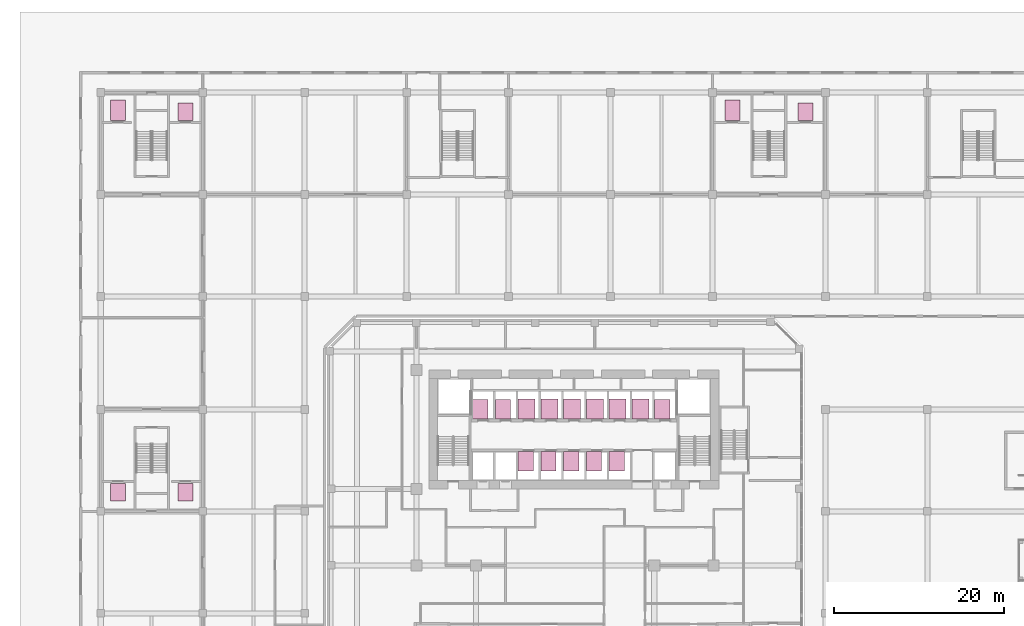
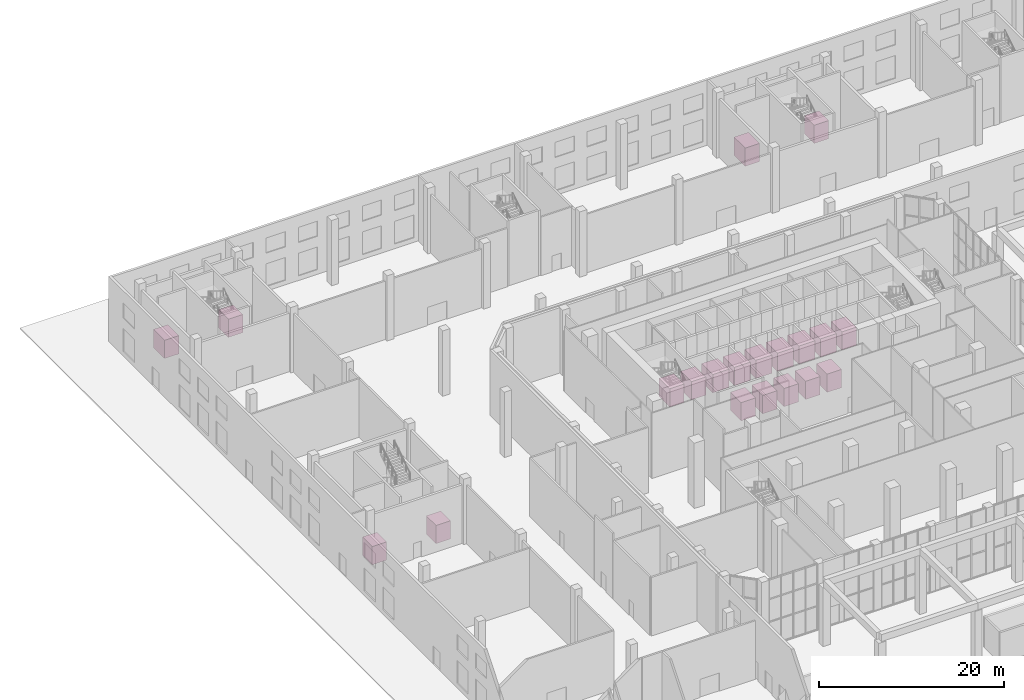
# One storey, part 43 of 43: 20 transport elements.
"""IFC4 building model written with IfcOpenShell, lengths in metres."""

from ifc_helpers import new_model, si_unit, direction, frame, origin, origin_2d, place, context, subcontext, project, spatial, rectangle, extrude, source, transform, mapped, material, type_object, element, save


model = new_model("IFC4")

# Units and contexts
model_context = context("Model", 3, precision=1e-05, world=origin(), true_north=direction((0.0, 1.0)))
body_context = subcontext(model_context, "Body", "Model", "MODEL_VIEW")
ifc_project = project(units=[si_unit("LENGTHUNIT", "METRE"), si_unit("AREAUNIT", "SQUARE_METRE"), si_unit("VOLUMEUNIT", "CUBIC_METRE"), si_unit("PLANEANGLEUNIT", "RADIAN"), si_unit("MASSUNIT", "GRAM", prefix="KILO")], contexts=[model_context])

# Site, building, storey
site_placement = place(None, origin())
site = spatial("IfcSite", under=ifc_project, at=site_placement, CompositionType="ELEMENT")
building_placement = place(site_placement, origin())
building = spatial("IfcBuilding", under=site, at=building_placement, Name="Kilnfold Tower and Market Hall", CompositionType="ELEMENT")
storey_placement = place(building_placement, origin())
storey = spatial("IfcBuildingStorey", under=building, at=storey_placement, Name="L00", CompositionType="ELEMENT", Elevation=0.0)

# Transport elements
ifc_material_1 = material(Name="Stainless steel 304 cab", Category="steel")
transport_element_type_1 = type_object("IfcTransportElementType", Name="LIFT LR 1600 KG", PredefinedType="ELEVATOR", material=ifc_material_1)
shared_shape_1 = source(origin(), body_context, "Body", "SweptSolid", [
    extrude(rectangle(XDim=1.800048828125, YDim=2.300048828125, at=origin_2d()), origin(), (0.0, 0.0, 1.0), 2.39990234375),
])
for number, where, z_axis, x_axis, name in (
    (1, (-4.625, 11.25, 0.0), (0.0, 0.0, 1.0), (1.0, 0.0, 0.0), "Lift LR1"),
    (2, (-1.945068359375, 11.25, 0.0), (0.0, 0.0, 1.0), (1.0, 0.0, 0.0), "Lift LR2"),
    (3, (0.735107421875, 11.25, 0.0), (0.0, 0.0, 1.0), (1.0, 0.0, 0.0), "Lift LR3"),
    (4, (3.4150390625, 11.25, 0.0), (0.0, 0.0, 1.0), (1.0, 0.0, 0.0), "Lift LR4"),
    (5, (6.094970703125, 11.25, 0.0), (0.0, 0.0, 1.0), (1.0, 0.0, 0.0), "Lift LR5"),
    (6, (11.455078125, 17.35009765625, 0.0), (0.0, 0.0, 1.0), (1.0, 0.0, 0.0), "Lift LR6"),
):
    element("IfcTransportElement", number, at=place(storey_placement, frame(where, z_axis=z_axis, x_axis=x_axis)), inside=storey, type_object=transport_element_type_1, Name=name, PredefinedType="ELEVATOR", context=body_context, shape_type="MappedRepresentation", body=[
        mapped(shared_shape_1, transform((0.0, 0.0, 0.0))),
    ])
ifc_material_2 = material(Name="Stainless steel 304 cab", Category="steel")
transport_element_type_2 = type_object("IfcTransportElementType", Name="LIFT LL 1600 KG", PredefinedType="ELEVATOR", material=ifc_material_2)
for number, where, z_axis, x_axis, name in (
    (7, (-9.985107421875, 17.35009765625, 0.0), (0.0, 0.0, 1.0), (1.0, 0.0, 0.0), "Lift LR7"),
    (8, (-7.304931640625, 17.35009765625, 0.0), (0.0, 0.0, 1.0), (1.0, 0.0, 0.0), "Lift LR8"),
):
    element("IfcTransportElement", number, at=place(storey_placement, frame(where, z_axis=z_axis, x_axis=x_axis)), inside=storey, type_object=transport_element_type_2, Name=name, PredefinedType="ELEVATOR", context=body_context, shape_type="MappedRepresentation", body=[
        mapped(shared_shape_1, transform((0.0, 0.0, 0.0))),
    ])
ifc_material_3 = material(Name="Stainless steel 304 cab", Category="steel")
transport_element_type_3 = type_object("IfcTransportElementType", Name="LIFT SH1 2000 KG", PredefinedType="ELEVATOR", material=ifc_material_3)
shared_shape_2 = source(origin(), body_context, "Body", "SweptSolid", [
    extrude(rectangle(XDim=2.0, YDim=2.39990234375, at=origin_2d()), origin(), (0.0, 0.0, 1.0), 2.39990234375),
])
for number, where, z_axis, x_axis, name in (
    (9, (-4.52490234375, 17.39990234375, 0.0), (0.0, 0.0, 1.0), (1.0, 0.0, 0.0), "Shuttle lift SH1"),
    (10, (-1.844970703125, 17.39990234375, 0.0), (0.0, 0.0, 1.0), (1.0, 0.0, 0.0), "Shuttle lift SH2"),
    (11, (0.8349609375, 17.39990234375, 0.0), (0.0, 0.0, 1.0), (1.0, 0.0, 0.0), "Shuttle lift SH3"),
):
    element("IfcTransportElement", number, at=place(storey_placement, frame(where, z_axis=z_axis, x_axis=x_axis)), inside=storey, type_object=transport_element_type_3, Name=name, PredefinedType="ELEVATOR", context=body_context, shape_type="MappedRepresentation", body=[
        mapped(shared_shape_2, transform((0.0, 0.0, 0.0))),
    ])
ifc_material_4 = material(Name="Stainless steel 304 cab", Category="steel")
transport_element_type_4 = type_object("IfcTransportElementType", Name="LIFT SH2 2000 KG", PredefinedType="ELEVATOR", material=ifc_material_4)
for number, where, z_axis, x_axis, name in (
    (12, (3.514892578125, 17.39990234375, 0.0), (0.0, 0.0, 1.0), (1.0, 0.0, 0.0), "Shuttle lift SH4"),
    (13, (6.195068359375, 17.39990234375, 0.0), (0.0, 0.0, 1.0), (1.0, 0.0, 0.0), "Shuttle lift SH5"),
    (14, (8.875, 17.39990234375, 0.0), (0.0, 0.0, 1.0), (1.0, 0.0, 0.0), "Shuttle lift SH6"),
):
    element("IfcTransportElement", number, at=place(storey_placement, frame(where, z_axis=z_axis, x_axis=x_axis)), inside=storey, type_object=transport_element_type_4, Name=name, PredefinedType="ELEVATOR", context=body_context, shape_type="MappedRepresentation", body=[
        mapped(shared_shape_2, transform((0.0, 0.0, 0.0))),
    ])
ifc_material_5 = material(Name="Steel S355", Category="steel")
transport_element_type_5 = type_object("IfcTransportElementType", Name="PODIUM LIFT PUBLIC", PredefinedType="ELEVATOR", material=ifc_material_5)
shared_shape_3 = source(origin(), body_context, "Body", "SweptSolid", [
    extrude(rectangle(XDim=1.800048828125, YDim=2.10009765625, at=origin_2d()), origin(), (0.0, 0.0, 1.0), 2.39990234375),
])
for number, where, z_axis, x_axis, name in (
    (15, (-52.625, 7.60009765625, 0.0), (0.0, 0.0, 1.0), (1.0, 0.0, 0.0), "Lift PU1"),
    (16, (-44.675048828125, 7.60009765625, 0.0), (0.0, 0.0, 1.0), (1.0, 0.0, 0.0), "Lift PU2"),
    (17, (-44.675048828125, 52.39990234375, 0.0), (0.0, 0.0, 1.0), (1.0, 0.0, 0.0), "Lift PU3"),
    (18, (28.300048828125, 52.39990234375, 0.0), (0.0, 0.0, 1.0), (1.0, 0.0, 0.0), "Lift PU4"),
):
    element("IfcTransportElement", number, at=place(storey_placement, frame(where, z_axis=z_axis, x_axis=x_axis)), inside=storey, type_object=transport_element_type_5, Name=name, PredefinedType="ELEVATOR", context=body_context, shape_type="MappedRepresentation", body=[
        mapped(shared_shape_3, transform((0.0, 0.0, 0.0))),
    ])
ifc_material_6 = material(Name="Steel S355", Category="steel")
transport_element_type_6 = type_object("IfcTransportElementType", Name="PODIUM LIFT SERVICE", PredefinedType="ELEVATOR", material=ifc_material_6)
shared_shape_4 = source(origin(), body_context, "Body", "SweptSolid", [
    extrude(rectangle(XDim=1.800048828125, YDim=2.39990234375, at=origin_2d()), origin(), (0.0, 0.0, 1.0), 2.39990234375),
])
for number, where, z_axis, x_axis, name in (
    (19, (-52.625, 52.550048828125, 0.0), (0.0, 0.0, 1.0), (1.0, 0.0, 0.0), "Service lift PS1"),
    (20, (19.699951171875, 52.550048828125, 0.0), (0.0, 0.0, 1.0), (1.0, 0.0, 0.0), "Service lift PS2"),
):
    element("IfcTransportElement", number, at=place(storey_placement, frame(where, z_axis=z_axis, x_axis=x_axis)), inside=storey, type_object=transport_element_type_6, Name=name, PredefinedType="ELEVATOR", context=body_context, shape_type="MappedRepresentation", body=[
        mapped(shared_shape_4, transform((0.0, 0.0, 0.0))),
    ])

save(model, "model.ifc")
